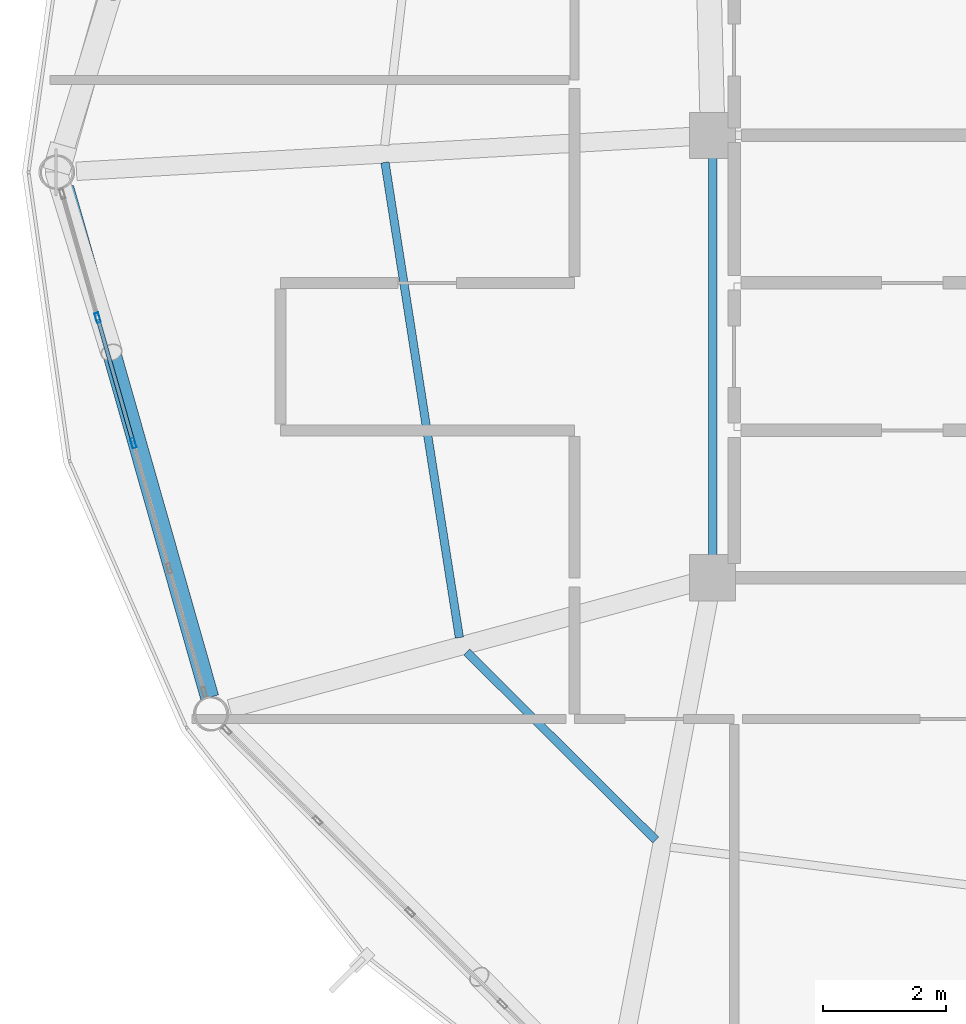
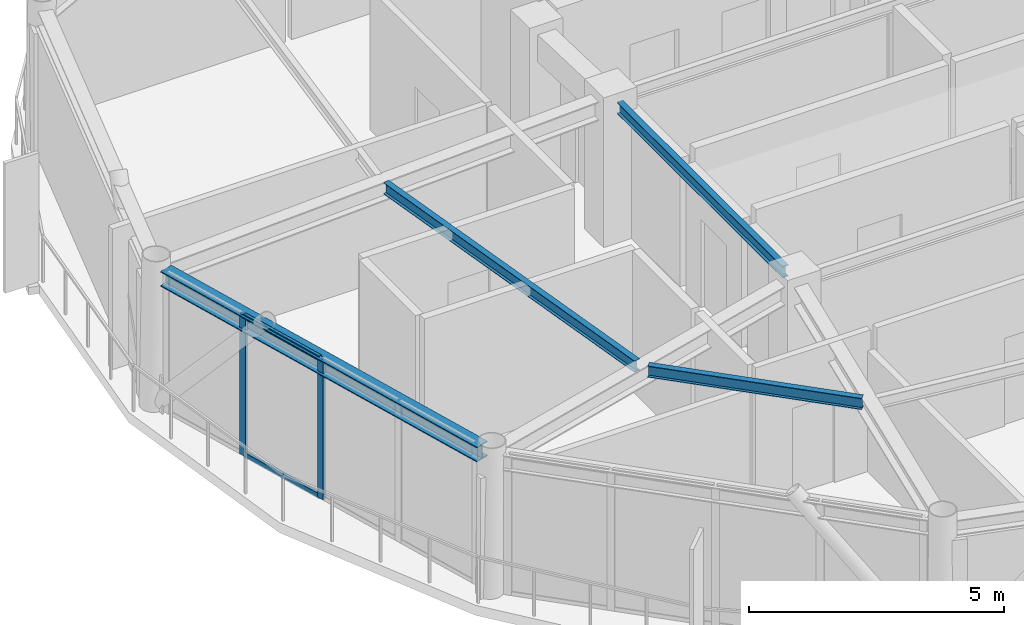
# One storey, part 5 of 24: 4 beams, 4 members, 1 element without a shape of its own.
"""IFC4 building model written with IfcOpenShell, lengths in metres."""

from ifc_helpers import new_model, si_unit, direction, frame, origin, origin_2d, place, context, subcontext, project, spatial, hollow_rectangle, i_section, extrude, material, layer, layer_set, material_profile, profile_set, type_object, element, aggregate, save


model = new_model("IFC4")

# Units and contexts
model_context = context("Model", 3, precision=1e-05, world=origin(), true_north=direction((0.0, 1.0)))
body_context = subcontext(model_context, "Body", "Model", "MODEL_VIEW")
ifc_project = project(units=[si_unit("LENGTHUNIT", "METRE"), si_unit("AREAUNIT", "SQUARE_METRE"), si_unit("VOLUMEUNIT", "CUBIC_METRE"), si_unit("PLANEANGLEUNIT", "RADIAN"), si_unit("MASSUNIT", "GRAM", prefix="KILO")], contexts=[model_context])

# Site, building, storey
site_placement = place(None, origin())
site = spatial("IfcSite", under=ifc_project, at=site_placement, CompositionType="ELEMENT")
building_placement = place(site_placement, origin())
building = spatial("IfcBuilding", under=site, at=building_placement, Name="Varnakorn Sky Granary", CompositionType="ELEMENT")
storey_placement = place(building_placement, frame((0.0, 0.0, 281.39990234375)))
storey = spatial("IfcBuildingStorey", under=building, at=storey_placement, Name="L72", CompositionType="ELEMENT", Elevation=281.39990234375)

# Beams
ifc_material_1 = material(Name="Steel S355JR", Category="steel")
ifc_material_profile_1 = material_profile(ifc_material_1, i_section(OverallWidth=0.135009765625, OverallDepth=0.27001953125, WebThickness=0.006591796875, FlangeThickness=0.01025390625, at=origin_2d()), Name="IPE 270")
ifc_profile_set_1 = profile_set([ifc_material_profile_1], Name="Steel S355JR")
beam_type_1 = type_object("IfcBeamType", Name="BM-SEC-Z5", PredefinedType="BEAM", material=ifc_profile_set_1)
beam_1_placement = place(storey_placement, frame((-7.6826171875, 0.1591796875, 3.22509765625), z_axis=(0.154658539454, -0.987967983375, 0.0), x_axis=(0.987967983375, 0.154658539454, 0.0)))
element("IfcBeam", 1, at=beam_1_placement, inside=storey, type_object=beam_type_1, Name="Secondary Floor Chord Beam MSB07 L72", PredefinedType="BEAM", context=body_context, shape_type="SweptSolid", body=[
    extrude(i_section(OverallWidth=0.135009765625, OverallDepth=0.27001953125, WebThickness=0.006591796875, FlangeThickness=0.01025390625, at=origin_2d()), origin(), (0.0, 0.0, 1.0), 7.82666015625),
])
beam_2_placement = place(storey_placement, frame((-6.351318359375, -7.810302734375, 3.22509765625), z_axis=(0.709047709742, -0.705160510316, 0.0), x_axis=(0.705160510316, 0.709047709742, 0.0)))
element("IfcBeam", 2, at=beam_2_placement, inside=storey, type_object=beam_type_1, Name="Secondary Floor Chord Beam MSB08 L72", PredefinedType="BEAM", context=body_context, shape_type="SweptSolid", body=[
    extrude(i_section(OverallWidth=0.135009765625, OverallDepth=0.27001953125, WebThickness=0.006591796875, FlangeThickness=0.01025390625, at=origin_2d()), origin(), (0.0, 0.0, 1.0), 4.333740234375),
])
beam_3_placement = place(storey_placement, frame((-2.35009765625, 0.2451171875, 3.22509765625), z_axis=(0.0, -1.0, 0.0), x_axis=(1.0, 0.0, 0.0)))
element("IfcBeam", 3, at=beam_3_placement, inside=storey, type_object=beam_type_1, Name="Core Spine Framing Beam 3 L72", PredefinedType="BEAM", context=body_context, shape_type="SweptSolid", body=[
    extrude(i_section(OverallWidth=0.135009765625, OverallDepth=0.27001953125, WebThickness=0.006591796875, FlangeThickness=0.01025390625, at=origin_2d()), origin(), (0.0, 0.0, 1.0), 6.490234375),
])
ifc_material_profile_2 = material_profile(ifc_material_1, i_section(OverallWidth=0.300048828125, OverallDepth=0.360107421875, WebThickness=0.012451171875, FlangeThickness=0.0224609375, at=origin_2d()), Name="HE 360 B")
ifc_profile_set_2 = profile_set([ifc_material_profile_2], Name="Steel S355JR")
beam_type_2 = type_object("IfcBeamType", Name="BM-SPD-Z5", PredefinedType="SPANDREL", material=ifc_profile_set_2)
beam_4_placement = place(storey_placement, frame((-12.8955078125, -0.25439453125, 3.18017578125), z_axis=(0.273684775505, -0.961819444416, 0.0), x_axis=(0.961819444416, 0.273684775505, 0.0)))
element("IfcBeam", 4, at=beam_4_placement, inside=storey, type_object=beam_type_2, Name="Perimeter Spandrel Ring Beam RB07 L72", PredefinedType="SPANDREL", context=body_context, shape_type="SweptSolid", body=[
    extrude(i_section(OverallWidth=0.300048828125, OverallDepth=0.360107421875, WebThickness=0.012451171875, FlangeThickness=0.0224609375, at=origin_2d()), origin(), (0.0, 0.0, 1.0), 8.619873046875),
])

# Curtain wall, members
ifc_material_2 = material(Name="Anodised Bronze Aluminium Alloy 6063-T6", Category="aluminium")
ifc_layer = layer(ifc_material_2, 0.159912109375, Name="Anodised Bronze Aluminium Alloy 6063-T6")
ifc_layer_set = layer_set([ifc_layer], Name="Anodised Bronze Aluminium Alloy 6063-T6")
curtain_wall_type = type_object("IfcCurtainWallType", Name="CW-OFF-1", PredefinedType="USERDEFINED", material=ifc_layer_set)
curtain_wall_placement = place(storey_placement, origin())
curtain_wall = element("IfcCurtainWall", 5, at=curtain_wall_placement, inside=storey, type_object=curtain_wall_type, Name="Unitised Curtain Wall CW6 CW-L72-B07", ObjectType="CURTAIN WALL", PredefinedType="USERDEFINED")
ifc_material_profile_3 = material_profile(ifc_material_2, hollow_rectangle(XDim=0.06494140625, YDim=0.159912109375, WallThickness=0.00341796875, at=origin_2d()), Name="ALU MULL 65x160")
ifc_profile_set_3 = profile_set([ifc_material_profile_3], Name="Anodised Bronze Aluminium Alloy 6063-T6")
member_type_1 = type_object("IfcMemberType", Name="CW-OFF-1-MULL", PredefinedType="MULLION", material=ifc_profile_set_3)
member_1_placement = place(storey_placement, frame((-11.778564453125, -4.408203125, 0.0), z_axis=(0.0, 0.0, 1.0), x_axis=(-0.961698903399, -0.274108042934, 0.0)))
member_1 = element("IfcMember", 6, at=member_1_placement, type_object=member_type_1, Name="CW6 mullion 3", PredefinedType="MULLION", context=body_context, shape_type="SweptSolid", body=[
    extrude(hollow_rectangle(XDim=0.06494140625, YDim=0.159912109375, WallThickness=0.00341796875, at=origin_2d()), origin(), (0.0, 0.0, 1.0), 3.360107421875),
])
member_2_placement = place(storey_placement, frame((-12.360107421875, -2.367431640625, 0.0), z_axis=(0.0, 0.0, 1.0), x_axis=(-0.961698903399, -0.274108042934, 0.0)))
member_2 = element("IfcMember", 7, at=member_2_placement, type_object=member_type_1, Name="CW6 mullion 4", PredefinedType="MULLION", context=body_context, shape_type="SweptSolid", body=[
    extrude(hollow_rectangle(XDim=0.06494140625, YDim=0.159912109375, WallThickness=0.00341796875, at=origin_2d()), origin(), (0.0, 0.0, 1.0), 3.360107421875),
])
ifc_material_profile_4 = material_profile(ifc_material_2, hollow_rectangle(XDim=0.06494140625, YDim=0.1201171875, WallThickness=0.00341796875, at=origin_2d()), Name="ALU TRAN 65x120")
ifc_profile_set_4 = profile_set([ifc_material_profile_4], Name="Anodised Bronze Aluminium Alloy 6063-T6")
member_type_2 = type_object("IfcMemberType", Name="CW-OFF-1-TRAN", PredefinedType="USERDEFINED", material=ifc_profile_set_4)
member_3_placement = place(storey_placement, frame((-11.787353515625, -4.376953125, 0.03271484375), z_axis=(-0.274156778469, 0.961685011227, 0.0), x_axis=(-0.961685011227, -0.274156778469, 0.0)))
member_3 = element("IfcMember", 8, at=member_3_placement, type_object=member_type_2, Name="CW6 transom 3.1", ObjectType="TRANSOM", PredefinedType="USERDEFINED", context=body_context, shape_type="SweptSolid", body=[
    extrude(hollow_rectangle(XDim=0.06494140625, YDim=0.1201171875, WallThickness=0.00341796875, at=origin_2d()), origin(), (0.0, 0.0, 1.0), 2.05712890625),
])
member_4_placement = place(storey_placement, frame((-11.787353515625, -4.376953125, 3.32763671875), z_axis=(-0.274156778469, 0.961685011227, 0.0), x_axis=(-0.961685011227, -0.274156778469, 0.0)))
member_4 = element("IfcMember", 9, at=member_4_placement, type_object=member_type_2, Name="CW6 transom 3.2", ObjectType="TRANSOM", PredefinedType="USERDEFINED", context=body_context, shape_type="SweptSolid", body=[
    extrude(hollow_rectangle(XDim=0.06494140625, YDim=0.1201171875, WallThickness=0.00341796875, at=origin_2d()), origin(), (0.0, 0.0, 1.0), 2.05712890625),
])
aggregate(curtain_wall, [member_1, member_2, member_3, member_4])

save(model, "model.ifc")
